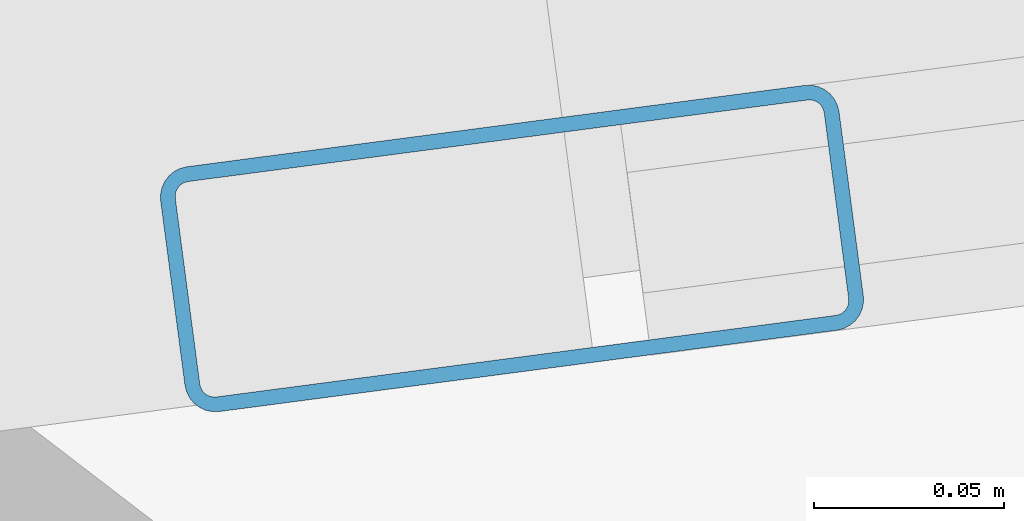
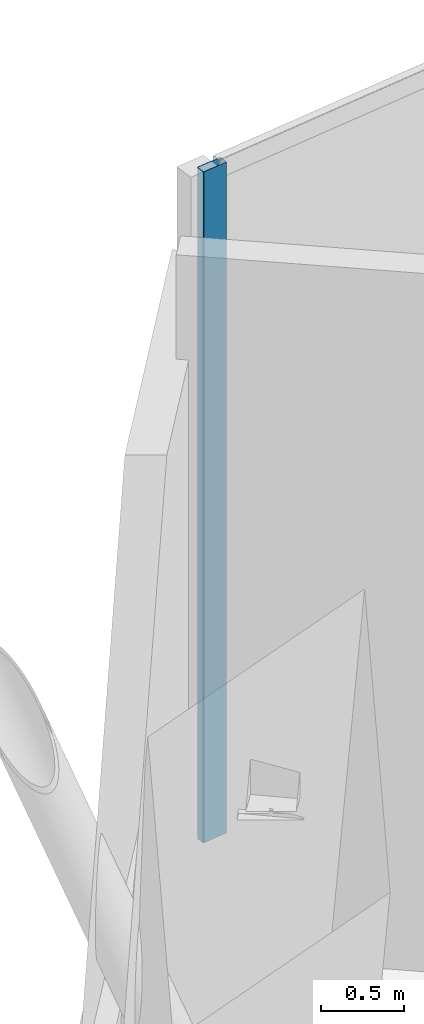
# One storey, part 12 of 22: 1 member, 1 element without a shape of its own.
"""IFC4 building model written with IfcOpenShell, lengths in metres."""

from ifc_helpers import new_model, si_unit, direction, frame, origin, origin_2d, place, context, subcontext, project, spatial, hollow_rectangle, extrude, source, transform, mapped, material, material_profile, profile_set, type_object, element, aggregate, save


model = new_model("IFC4")

# Units and contexts
model_context = context("Model", 3, precision=1e-05, world=origin(), true_north=direction((0.0, 1.0)))
body_context = subcontext(model_context, "Body", "Model", "MODEL_VIEW")
ifc_project = project(units=[si_unit("LENGTHUNIT", "METRE"), si_unit("AREAUNIT", "SQUARE_METRE"), si_unit("VOLUMEUNIT", "CUBIC_METRE"), si_unit("PLANEANGLEUNIT", "RADIAN"), si_unit("MASSUNIT", "GRAM", prefix="KILO")], contexts=[model_context])

# Site, building, storey
site_placement = place(None, origin())
site = spatial("IfcSite", under=ifc_project, at=site_placement, CompositionType="ELEMENT")
building_placement = place(site_placement, origin())
building = spatial("IfcBuilding", under=site, at=building_placement, Name="Torre Montelarca", CompositionType="ELEMENT")
storey_placement = place(building_placement, frame((0.0, 0.0, 209.800048828125)))
storey = spatial("IfcBuildingStorey", under=building, at=storey_placement, Name="L47", CompositionType="ELEMENT", Elevation=209.800048828125)

# Curtain wall, member
ifc_material_1 = material(Name="Insulated low-E laminated glass", Category="glass")
curtain_wall_type = type_object("IfcCurtainWallType", Name="CW-SYS-Z2", PredefinedType="USERDEFINED", material=ifc_material_1)
curtain_wall_placement = place(storey_placement, origin())
curtain_wall = element("IfcCurtainWall", 1, at=curtain_wall_placement, inside=storey, type_object=curtain_wall_type, Name="L47 Curtain Wall Run CW-T3-L47-E09-B1", ObjectType="UNITISED GLAZING", PredefinedType="USERDEFINED")
ifc_material_2 = material(Name="Anodised aluminium AA 6063-T6", Category="aluminium")
ifc_material_profile = material_profile(ifc_material_2, hollow_rectangle(XDim=0.06494140625, YDim=0.179931640625, WallThickness=0.00390625, InnerFilletRadius=0.00390625, OuterFilletRadius=0.008056640625, at=origin_2d()), Name="ALU65X180X4", Category="aluminium")
ifc_profile_set = profile_set([ifc_material_profile], Name="Anodised aluminium AA 6063-T6")
member_type = type_object("IfcMemberType", Name="CWM-ALU180", PredefinedType="MULLION", material=ifc_profile_set)
shared_shape = source(origin(), body_context, "Body", "SweptSolid", [
    extrude(hollow_rectangle(XDim=0.06494140625, YDim=0.179931640625, WallThickness=0.00390625, InnerFilletRadius=0.00390625, OuterFilletRadius=0.008056640625, at=origin_2d()), origin(), (0.0, 0.0, 1.0), 4.919921875),
])
member_placement = place(storey_placement, frame((14.793701171875, 51.954345703125, 0.0), z_axis=(0.0, 0.0, 1.0), x_axis=(0.130514118862, -0.991446450787, 0.0)))
member = element("IfcMember", 2, at=member_placement, type_object=member_type, Name="CW mullion 3", PredefinedType="MULLION", context=body_context, shape_type="MappedRepresentation", body=[
    mapped(shared_shape, transform((0.0, 0.0, 0.0), scale=1.0)),
])
aggregate(curtain_wall, [member])

save(model, "model.ifc")
